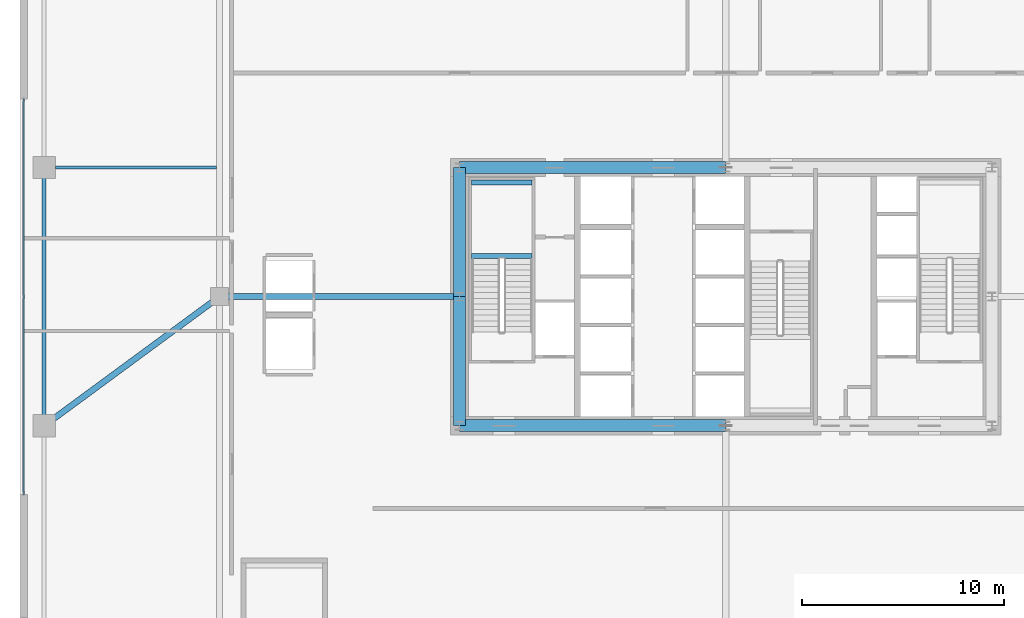
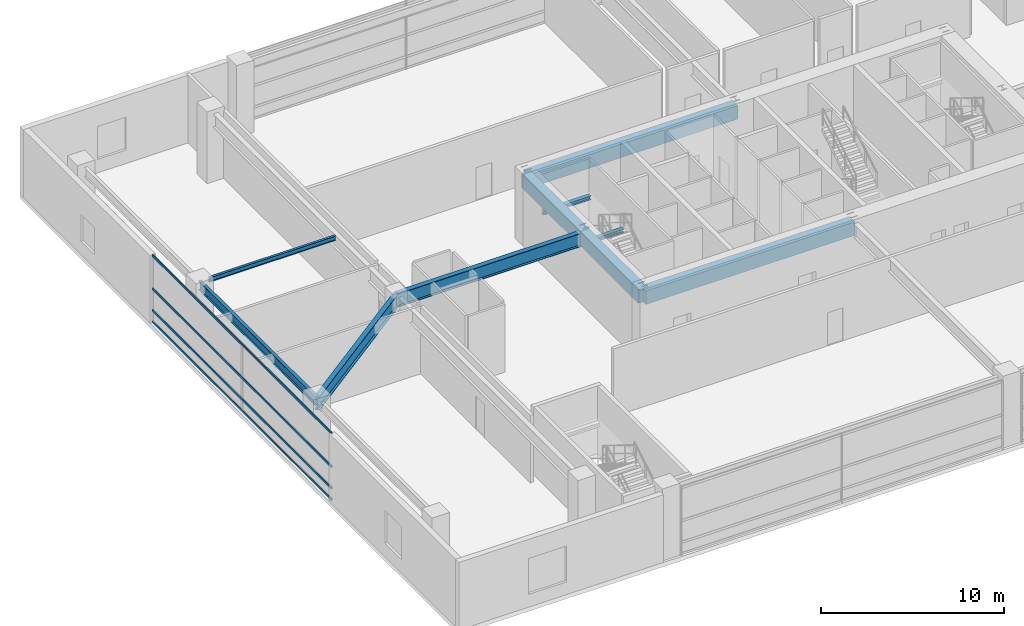
# One storey, part 10 of 38: 10 beams, 4 members, 1 element without a shape of its own.
"""IFC4 building model written with IfcOpenShell, lengths in metres."""

from ifc_helpers import new_model, si_unit, direction, frame, origin, origin_2d, place, context, subcontext, project, spatial, rectangle, hollow_rectangle, i_section, extrude, source, transform, mapped, material, layer, layer_set, material_profile, profile_set, type_object, element, aggregate, save


model = new_model("IFC4")

# Units and contexts
model_context = context("Model", 3, precision=1e-05, world=origin(), true_north=direction((0.0, 1.0)))
body_context = subcontext(model_context, "Body", "Model", "MODEL_VIEW")
ifc_project = project(units=[si_unit("LENGTHUNIT", "METRE"), si_unit("AREAUNIT", "SQUARE_METRE"), si_unit("VOLUMEUNIT", "CUBIC_METRE"), si_unit("PLANEANGLEUNIT", "RADIAN"), si_unit("MASSUNIT", "GRAM", prefix="KILO"), si_unit("THERMODYNAMICTEMPERATUREUNIT", "KELVIN"), si_unit("POWERUNIT", "WATT")], contexts=[model_context])

# Site, building, storey
site_placement = place(None, origin())
site = spatial("IfcSite", under=ifc_project, at=site_placement, CompositionType="ELEMENT")
building_placement = place(site_placement, origin())
building = spatial("IfcBuilding", under=site, at=building_placement, Name="Yuzanri Waterfront Tower", CompositionType="ELEMENT")
storey_placement = place(building_placement, frame((0.0, 0.0, 10.199951171875)))
storey = spatial("IfcBuildingStorey", under=building, at=storey_placement, Name="L03", CompositionType="ELEMENT", Elevation=10.199951171875)

# Beams
ifc_material_1 = material(Name="Concrete C60", Category="concrete")
ifc_material_profile_1 = material_profile(ifc_material_1, rectangle(XDim=0.60009765625, YDim=0.89990234375, at=origin_2d()), Name="RC 600x900")
ifc_profile_set_1 = profile_set([ifc_material_profile_1], Name="Concrete C60")
beam_type_1 = type_object("IfcBeamType", Name="Core Coupling Lintel Concrete C60 600x900", PredefinedType="LINTEL", material=ifc_profile_set_1)
shared_shape_1 = source(origin(), body_context, "Body", "SweptSolid", [
    extrude(rectangle(XDim=0.60009765625, YDim=0.89990234375, at=origin_2d()), origin(), (0.0, 0.0, 1.0), 13.199951171875),
])
for number, where, z_axis, x_axis, name in (
    (1, (23.800048828125, 19.39990234375, 4.070068359375), (1.0, 0.0, 0.0), (0.0, 1.0, 0.0), "L03 Core Tie Beam CS1"),
    (2, (23.800048828125, 32.199951171875, 4.070068359375), (1.0, 0.0, 0.0), (0.0, 1.0, 0.0), "L03 Core Tie Beam CN1"),
):
    element("IfcBeam", number, at=place(storey_placement, frame(where, z_axis=z_axis, x_axis=x_axis)), inside=storey, type_object=beam_type_1, Name=name, PredefinedType="LINTEL", context=body_context, shape_type="MappedRepresentation", body=[
        mapped(shared_shape_1, transform((0.0, 0.0, 0.0), scale=1.0)),
    ])
shared_shape_2 = source(origin(), body_context, "Body", "SweptSolid", [
    extrude(rectangle(XDim=0.60009765625, YDim=0.89990234375, at=origin_2d()), origin(), (0.0, 0.0, 1.0), 6.400146484375),
])
beam_1_placement = place(storey_placement, frame((23.800048828125, 19.39990234375, 4.070068359375), z_axis=(0.0, 1.0, 0.0), x_axis=(-1.0, 0.0, 0.0)))
element("IfcBeam", 3, at=beam_1_placement, inside=storey, type_object=beam_type_1, Name="L03 Core Tie Beam CW1", PredefinedType="LINTEL", context=body_context, shape_type="MappedRepresentation", body=[
    mapped(shared_shape_2, transform((0.0, 0.0, 0.0), scale=1.0)),
])
shared_shape_3 = source(origin(), body_context, "Body", "SweptSolid", [
    extrude(rectangle(XDim=0.60009765625, YDim=0.89990234375, at=origin_2d()), origin(), (0.0, 0.0, 1.0), 6.39990234375),
])
beam_2_placement = place(storey_placement, frame((23.800048828125, 25.800048828125, 4.070068359375), z_axis=(0.0, 1.0, 0.0), x_axis=(-1.0, 0.0, 0.0)))
element("IfcBeam", 4, at=beam_2_placement, inside=storey, type_object=beam_type_1, Name="L03 Core Tie Beam CW2", PredefinedType="LINTEL", context=body_context, shape_type="MappedRepresentation", body=[
    mapped(shared_shape_3, transform((0.0, 0.0, 0.0), scale=1.0)),
])
ifc_material_2 = material(Name="Steel Q355B", Category="steel")
ifc_material_profile_2 = material_profile(ifc_material_2, i_section(OverallWidth=0.199951171875, OverallDepth=0.60009765625, WebThickness=0.010986328125, FlangeThickness=0.01708984375, at=origin_2d()), Name="HN 600x200x11x17")
ifc_profile_set_2 = profile_set([ifc_material_profile_2], Name="Steel Q355B")
beam_type_2 = type_object("IfcBeamType", Name="Perimeter Spandrel Q355B HN 600x200", PredefinedType="SPANDREL", material=ifc_profile_set_2)
shared_shape_4 = source(origin(), body_context, "Body", "SweptSolid", [
    extrude(i_section(OverallWidth=0.199951171875, OverallDepth=0.60009765625, WebThickness=0.010986328125, FlangeThickness=0.01708984375, at=origin_2d()), origin(), (0.0, 0.0, 1.0), 12.800048828125),
])
beam_3_placement = place(storey_placement, frame((3.199951171875, 19.39990234375, 4.219970703125), z_axis=(0.0, 1.0, 0.0), x_axis=(-1.0, 0.0, 0.0)))
element("IfcBeam", 5, at=beam_3_placement, inside=storey, type_object=beam_type_2, Name="L03 West Podium Spandrel 2", PredefinedType="SPANDREL", context=body_context, shape_type="MappedRepresentation", body=[
    mapped(shared_shape_4, transform((0.0, 0.0, 0.0), scale=1.0)),
])
ifc_material_3 = material(Name="Steel Q355B", Category="steel")
ifc_material_profile_3 = material_profile(ifc_material_3, i_section(OverallWidth=0.300048828125, OverallDepth=0.89990234375, WebThickness=0.01611328125, FlangeThickness=0.028076171875, at=origin_2d()), Name="HN 900x300x16x28")
ifc_profile_set_3 = profile_set([ifc_material_profile_3], Name="Steel Q355B")
beam_type_3 = type_object("IfcBeamType", Name="Primary Podium Girder Q355B HN 900x300", PredefinedType="BEAM", material=ifc_profile_set_3)
shared_shape_5 = source(origin(), body_context, "Body", "SweptSolid", [
    extrude(i_section(OverallWidth=0.300048828125, OverallDepth=0.89990234375, WebThickness=0.01611328125, FlangeThickness=0.028076171875, at=origin_2d()), origin(), (0.0, 0.0, 1.0), 11.900146484375),
])
beam_4_placement = place(storey_placement, frame((11.89990234375, 25.800048828125, 4.070068359375), z_axis=(1.0, 0.0, 0.0), x_axis=(0.0, 1.0, 0.0)))
element("IfcBeam", 6, at=beam_4_placement, inside=storey, type_object=beam_type_3, Name="L03 Podium West Girder 2", PredefinedType="BEAM", context=body_context, shape_type="MappedRepresentation", body=[
    mapped(shared_shape_5, transform((0.0, 0.0, 0.0), scale=1.0)),
])
shared_shape_6 = source(origin(), body_context, "Body", "SweptSolid", [
    extrude(i_section(OverallWidth=0.300048828125, OverallDepth=0.89990234375, WebThickness=0.01611328125, FlangeThickness=0.028076171875, at=origin_2d()), origin(), (0.0, 0.0, 1.0), 10.800537109375),
])
beam_5_placement = place(storey_placement, frame((3.199951171875, 19.39990234375, 4.070068359375), z_axis=(0.805512964712, 0.592578149851, 0.0), x_axis=(-0.592578149851, 0.805512964712, 0.0)))
element("IfcBeam", 7, at=beam_5_placement, inside=storey, type_object=beam_type_3, Name="L03 Podium West Girder 1", PredefinedType="BEAM", context=body_context, shape_type="MappedRepresentation", body=[
    mapped(shared_shape_6, transform((0.0, 0.0, 0.0), scale=1.0)),
])
ifc_material_4 = material(Name="Steel Q355B", Category="steel")
ifc_material_profile_4 = material_profile(ifc_material_4, i_section(OverallWidth=0.14990234375, OverallDepth=0.300048828125, WebThickness=0.006591796875, FlangeThickness=0.009033203125, at=origin_2d()), Name="HN 300x150x6.5x9")
ifc_profile_set_4 = profile_set([ifc_material_profile_4], Name="Steel Q355B")
beam_type_4 = type_object("IfcBeamType", Name="Balcony Outlooker Joist Q355B HN 300x150", PredefinedType="JOIST", material=ifc_profile_set_4)
shared_shape_7 = source(origin(), body_context, "Body", "SweptSolid", [
    extrude(i_section(OverallWidth=0.14990234375, OverallDepth=0.300048828125, WebThickness=0.006591796875, FlangeThickness=0.009033203125, at=origin_2d()), origin(), (0.0, 0.0, 1.0), 8.0),
])
beam_6_placement = place(storey_placement, frame((3.75, 32.199951171875, 4.3701171875), z_axis=(1.0, 0.0, 0.0), x_axis=(0.0, 1.0, 0.0)))
element("IfcBeam", 8, at=beam_6_placement, inside=storey, type_object=beam_type_4, Name="L03 Podium West Secondary Joist", PredefinedType="JOIST", context=body_context, shape_type="MappedRepresentation", body=[
    mapped(shared_shape_7, transform((0.0, 0.0, 0.0), scale=1.0)),
])

# Curtain wall, members
ifc_material_5 = material(Name="Anodized Architectural Bronze", Category="metal")
ifc_layer = layer(ifc_material_5, 0.159912109375)
ifc_layer_set = layer_set([ifc_layer], Name="Anodized Architectural Bronze")
curtain_wall_type = type_object("IfcCurtainWallType", Name="Anodized Bronze Podium Waterfront Double-Height Unitized Curtain Wall 8400", PredefinedType="NOTDEFINED", material=ifc_layer_set)
curtain_wall_placement = place(storey_placement, origin())
curtain_wall = element("IfcCurtainWall", 9, at=curtain_wall_placement, inside=storey, type_object=curtain_wall_type, Name="L03 Curtain Wall CW-L03-W", PredefinedType="NOTDEFINED")
ifc_material_6 = material(Name="Anodized Architectural Bronze", Category="metal")
ifc_material_profile_5 = material_profile(ifc_material_6, hollow_rectangle(XDim=0.074951171875, YDim=0.14990234375, WallThickness=0.00390625, at=origin_2d()), Name="CWT 75x150")
ifc_profile_set_5 = profile_set([ifc_material_profile_5], Name="Anodized Architectural Bronze")
member_type = type_object("IfcMemberType", Name="Anodized Bronze Primary Curtain-Wall Transom 75x150", PredefinedType="USERDEFINED", material=ifc_profile_set_5)
shared_shape_8 = source(origin(), body_context, "Body", "SweptSolid", [
    extrude(hollow_rectangle(XDim=0.074951171875, YDim=0.14990234375, WallThickness=0.00390625, at=origin_2d()), origin(), (0.0, 0.0, 1.0), 19.60009765625),
])
member_1_placement = place(storey_placement, frame((2.179931640625, 16.0, 0.050048828125), z_axis=(0.0, 1.0, 0.0), x_axis=(-1.0, 0.0, 0.0)))
member_1 = element("IfcMember", 10, at=member_1_placement, type_object=member_type, Name="CW-L03-W Transom 1", ObjectType="TRANSOM", PredefinedType="USERDEFINED", context=body_context, shape_type="MappedRepresentation", body=[
    mapped(shared_shape_8, transform((0.0, 0.0, 0.0), scale=1.0)),
])
member_2_placement = place(storey_placement, frame((2.179931640625, 16.0, 0.820068359375), z_axis=(0.0, 1.0, 0.0), x_axis=(-1.0, 0.0, 0.0)))
member_2 = element("IfcMember", 11, at=member_2_placement, type_object=member_type, Name="CW-L03-W Transom 2", ObjectType="TRANSOM", PredefinedType="USERDEFINED", context=body_context, shape_type="MappedRepresentation", body=[
    mapped(shared_shape_8, transform((0.0, 0.0, 0.0), scale=1.0)),
])
member_3_placement = place(storey_placement, frame((2.179931640625, 16.0, 2.260009765625), z_axis=(0.0, 1.0, 0.0), x_axis=(-1.0, 0.0, 0.0)))
member_3 = element("IfcMember", 12, at=member_3_placement, type_object=member_type, Name="CW-L03-W Transom 3", ObjectType="TRANSOM", PredefinedType="USERDEFINED", context=body_context, shape_type="MappedRepresentation", body=[
    mapped(shared_shape_8, transform((0.0, 0.0, 0.0), scale=1.0)),
])
member_4_placement = place(storey_placement, frame((2.179931640625, 16.0, 4.469970703125), z_axis=(0.0, 1.0, 0.0), x_axis=(-1.0, 0.0, 0.0)))
member_4 = element("IfcMember", 13, at=member_4_placement, type_object=member_type, Name="CW-L03-W Transom 4", ObjectType="TRANSOM", PredefinedType="USERDEFINED", context=body_context, shape_type="MappedRepresentation", body=[
    mapped(shared_shape_8, transform((0.0, 0.0, 0.0), scale=1.0)),
])
aggregate(curtain_wall, [member_1, member_2, member_3, member_4])

# Beams
ifc_material_7 = material(Name="Steel Q355B", Category="steel")
ifc_material_profile_6 = material_profile(ifc_material_7, i_section(OverallWidth=0.25, OverallDepth=0.25, WebThickness=0.009033203125, FlangeThickness=0.013916015625, at=origin_2d()), Name="HW 250x250x9x14")
ifc_profile_set_6 = profile_set([ifc_material_profile_6], Name="Steel Q355B")
beam_type_5 = type_object("IfcBeamType", Name="Stair Landing Support Beam Q355B HW 250x250", PredefinedType="BEAM", material=ifc_profile_set_6)
shared_shape_9 = source(origin(), body_context, "Body", "SweptSolid", [
    extrude(i_section(OverallWidth=0.25, OverallDepth=0.25, WebThickness=0.009033203125, FlangeThickness=0.013916015625, at=origin_2d()), origin(), (0.0, 0.0, 1.0), 3.0),
])
for number, where, z_axis, x_axis, name in (
    (14, (24.39990234375, 27.81005859375, 2.074951171875), (1.0, 0.0, 0.0), (0.0, 1.0, 0.0), "L03 Stair Landing Support Beam ST-01-L03-L1-1"),
    (15, (24.39990234375, 31.449951171875, 2.074951171875), (1.0, 0.0, 0.0), (0.0, 1.0, 0.0), "L03 Stair Landing Support Beam ST-01-L03-L1-2"),
):
    element("IfcBeam", number, at=place(storey_placement, frame(where, z_axis=z_axis, x_axis=x_axis)), inside=storey, type_object=beam_type_5, Name=name, PredefinedType="BEAM", context=body_context, shape_type="MappedRepresentation", body=[
        mapped(shared_shape_9, transform((0.0, 0.0, 0.0), scale=1.0)),
    ])

save(model, "model.ifc")
